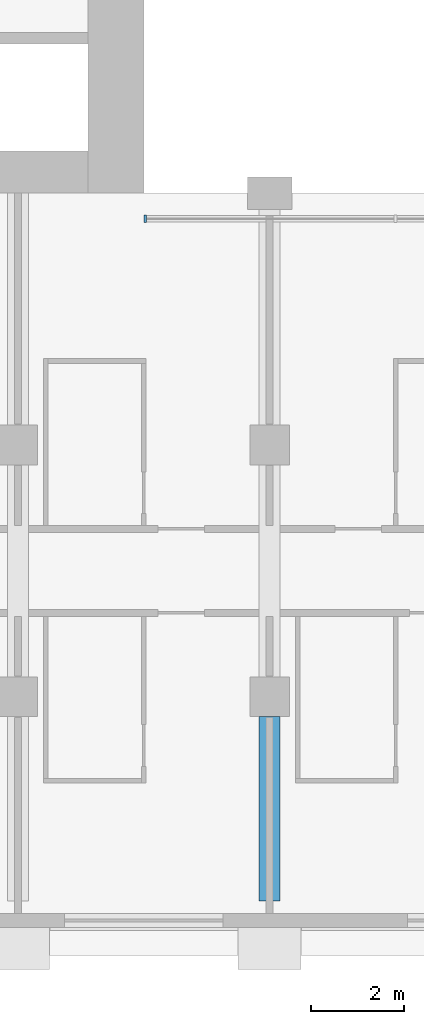
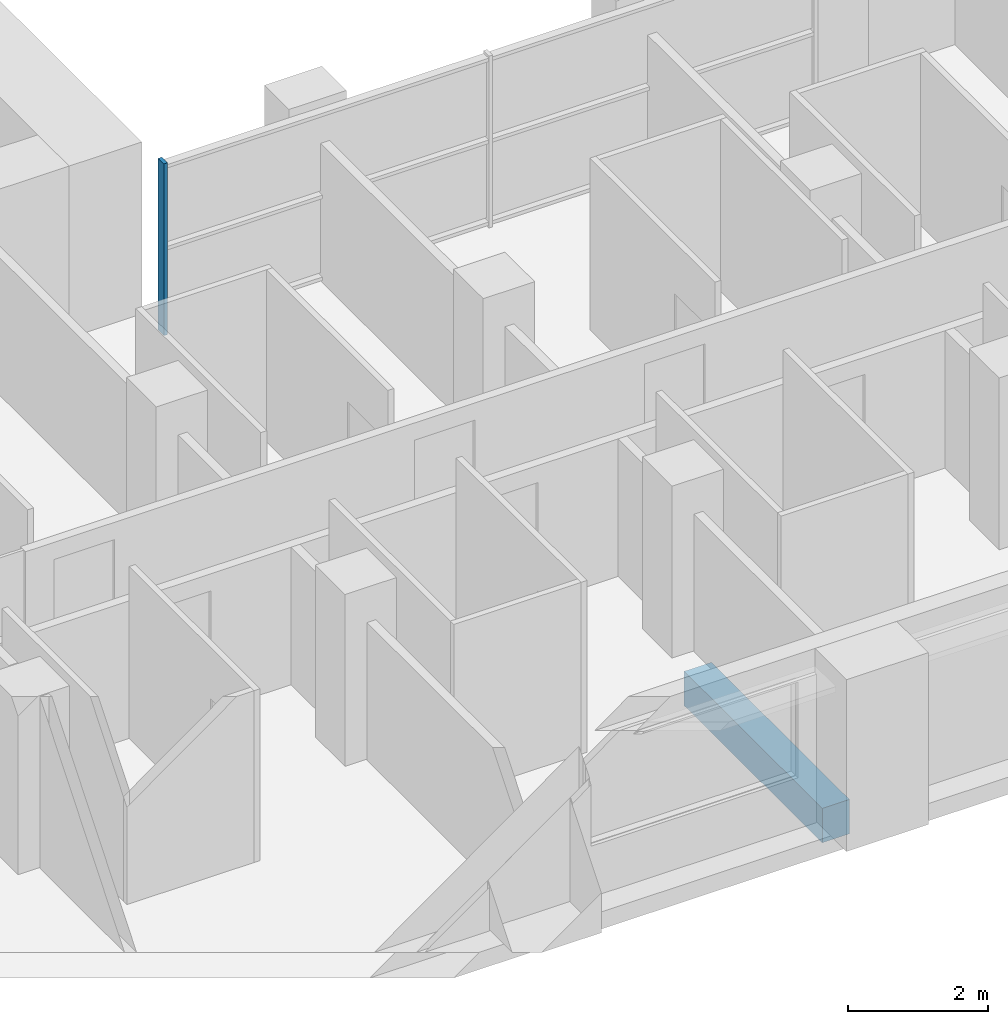
# One storey, part 2 of 16: 1 beam, 1 member, 1 element without a shape of its own.
"""IFC4 building model written with IfcOpenShell, lengths in metres."""

from ifc_helpers import new_model, si_unit, direction, frame, origin, origin_2d, place, context, subcontext, project, spatial, rectangle, extrude, material, material_profile, profile_set, type_object, element, aggregate, save


model = new_model("IFC4")

# Units and contexts
model_context = context("Model", 3, precision=1e-05, world=origin(), true_north=direction((0.0, 1.0)))
body_context = subcontext(model_context, "Body", "Model", "MODEL_VIEW")
ifc_project = project(units=[si_unit("LENGTHUNIT", "METRE"), si_unit("AREAUNIT", "SQUARE_METRE"), si_unit("VOLUMEUNIT", "CUBIC_METRE"), si_unit("PLANEANGLEUNIT", "RADIAN"), si_unit("MASSUNIT", "GRAM", prefix="KILO")], contexts=[model_context])

# Site, building, storey
site_placement = place(None, origin())
site = spatial("IfcSite", under=ifc_project, at=site_placement, CompositionType="ELEMENT")
building_placement = place(site_placement, origin())
building = spatial("IfcBuilding", under=site, at=building_placement, Name="Tabaq Tower and Sports Hall", CompositionType="ELEMENT")
storey_placement = place(building_placement, frame((0.0, 0.0, 156.10009765625)))
storey = spatial("IfcBuildingStorey", under=building, at=storey_placement, Name="L36", CompositionType="ELEMENT", Elevation=156.10009765625)

# Curtain wall, member
ifc_material_1 = material(Name="Aluminium alloy 6063-T6 framed glazing", Category="aluminium")
curtain_wall_type = type_object("IfcCurtainWallType", Name="CW1 curtain wall", PredefinedType="USERDEFINED", material=ifc_material_1)
curtain_wall_placement = place(storey_placement, origin())
curtain_wall = element("IfcCurtainWall", 1, at=curtain_wall_placement, inside=storey, type_object=curtain_wall_type, Name="Atrium glazing L36 S", ObjectType="ATRIUM ENCLOSURE", PredefinedType="USERDEFINED")
ifc_material_2 = material(Name="Aluminium alloy 6063-T6", Category="aluminium")
ifc_material_profile_1 = material_profile(ifc_material_2, rectangle(XDim=0.159912109375, YDim=0.06005859375, at=origin_2d()), Name="MULLION 160x60")
ifc_profile_set_1 = profile_set([ifc_material_profile_1], Name="Aluminium alloy 6063-T6")
member_type = type_object("IfcMemberType", Name="CW1 mullion 160x60", PredefinedType="MULLION", material=ifc_profile_set_1)
member_placement = place(storey_placement, frame((18.929931640625, 15.64990234375, 0.0), z_axis=(0.0, 0.0, 1.0), x_axis=(0.0, 1.0, 0.0)))
member = element("IfcMember", 2, at=member_placement, type_object=member_type, Name="CW1 mullion 1", PredefinedType="MULLION", context=body_context, shape_type="SweptSolid", body=[
    extrude(rectangle(XDim=0.159912109375, YDim=0.06005859375, at=origin_2d()), origin(), (0.0, 0.0, 1.0), 3.0),
])
aggregate(curtain_wall, [member])

# Beam
ifc_material_3 = material(Name="Concrete C40/50", Category="concrete")
ifc_material_profile_2 = material_profile(ifc_material_3, rectangle(XDim=0.449951171875, YDim=0.60009765625, at=origin_2d()), Name="CB 450x600")
ifc_profile_set_2 = profile_set([ifc_material_profile_2], Name="Concrete C40/50")
beam_type = type_object("IfcBeamType", Name="PT CANTILEVER BEAM CB 450x600 C40/50", PredefinedType="BEAM", material=ifc_profile_set_2)
beam_placement = place(storey_placement, frame((21.60009765625, 1.02490234375, -0.60009765625), z_axis=(0.0, 1.0, 0.0), x_axis=(-1.0, 0.0, 0.0)))
element("IfcBeam", 3, at=beam_placement, inside=storey, type_object=beam_type, Name="Cantilever Beam L36 S4 span 1", PredefinedType="BEAM", context=body_context, shape_type="SweptSolid", body=[
    extrude(rectangle(XDim=0.449951171875, YDim=0.60009765625, at=origin_2d()), origin(), (0.0, 0.0, 1.0), 3.9501953125),
])

save(model, "model.ifc")
